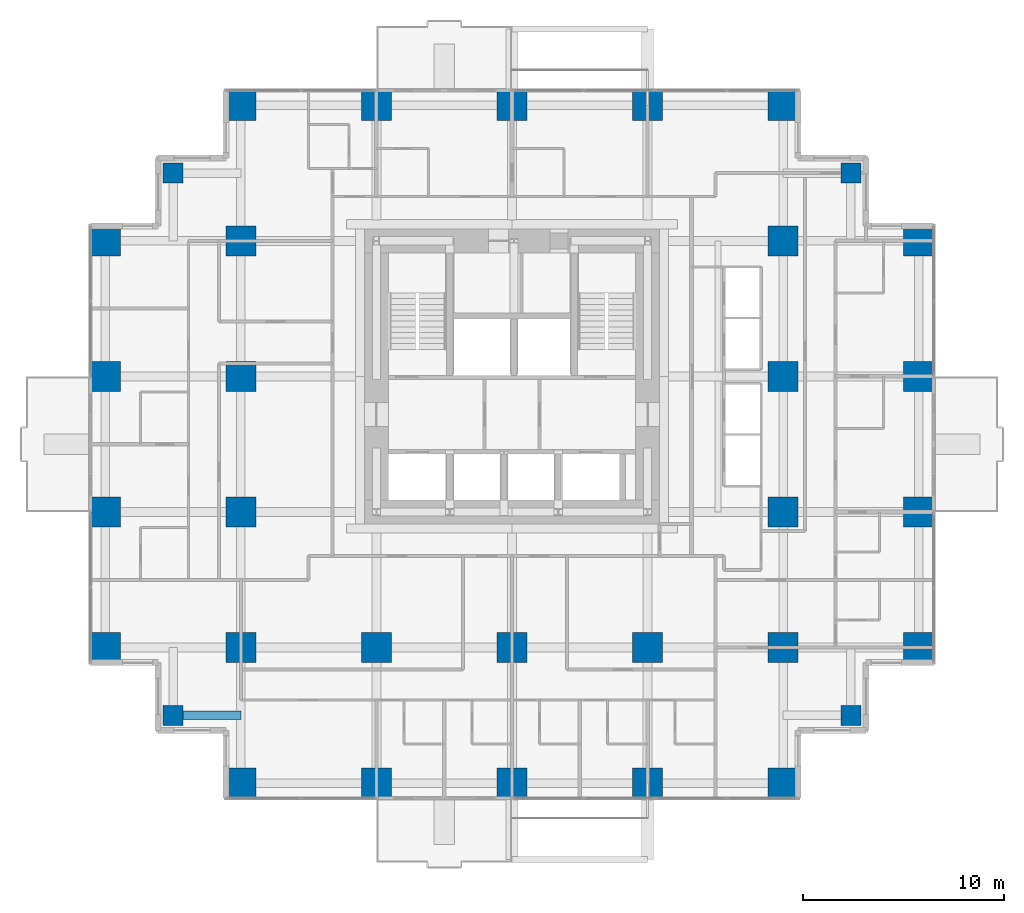
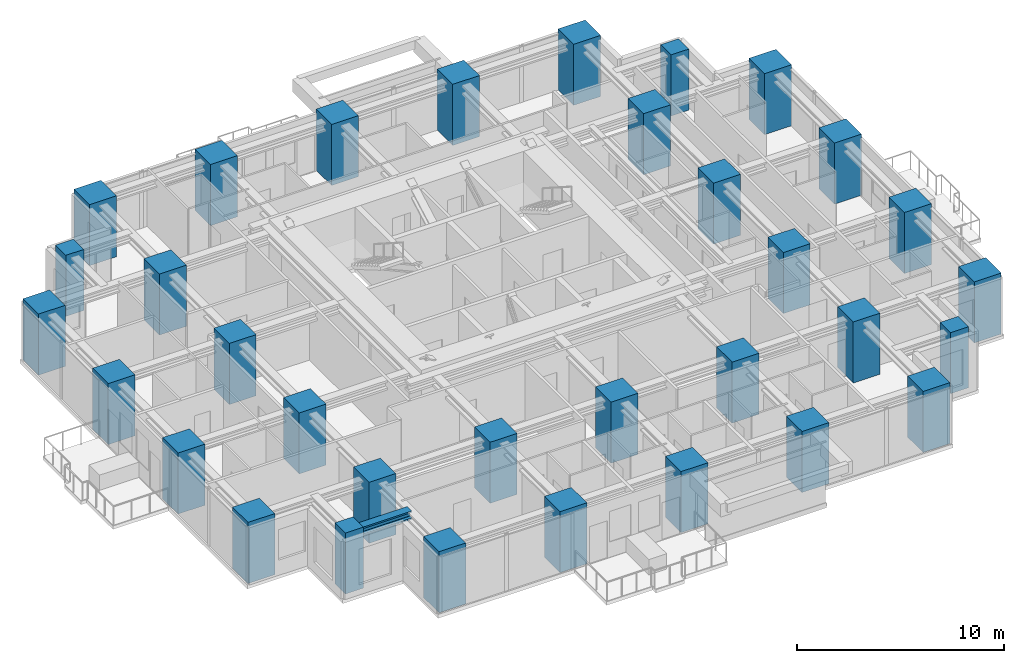
# One storey, part 1 of 13: 33 columns, 1 beam.
"""IFC4 building model written with IfcOpenShell, lengths in metres."""

from ifc_helpers import new_model, si_unit, direction, frame, origin, origin_2d, place, context, subcontext, project, spatial, rectangle, i_section, extrude, material, material_profile, profile_set, type_object, element, save


model = new_model("IFC4")

# Units and contexts
model_context = context("Model", 3, precision=1e-05, world=origin(), true_north=direction((0.0, 1.0)))
body_context = subcontext(model_context, "Body", "Model", "MODEL_VIEW")
ifc_project = project(units=[si_unit("LENGTHUNIT", "METRE"), si_unit("AREAUNIT", "SQUARE_METRE"), si_unit("VOLUMEUNIT", "CUBIC_METRE"), si_unit("PLANEANGLEUNIT", "RADIAN"), si_unit("MASSUNIT", "GRAM", prefix="KILO")], contexts=[model_context])

# Site, building, storey
site_placement = place(None, origin())
site = spatial("IfcSite", under=ifc_project, at=site_placement, CompositionType="ELEMENT")
building_placement = place(site_placement, origin())
building = spatial("IfcBuilding", under=site, at=building_placement, Name="Nyansa Garden Tower", CompositionType="ELEMENT")
storey_placement = place(building_placement, frame((0.0, 0.0, 123.300048828125)))
storey = spatial("IfcBuildingStorey", under=building, at=storey_placement, Name="L33", CompositionType="ELEMENT", Elevation=123.300048828125)

# Columns
ifc_material_1 = material(Name="Concrete C70/85", Category="concrete")
ifc_material_profile_1 = material_profile(ifc_material_1, rectangle(XDim=1.0, YDim=1.0, at=origin_2d()), Name="RC 1000x1000")
ifc_profile_set_1 = profile_set([ifc_material_profile_1], Name="Concrete C70/85")
column_type_1 = type_object("IfcColumnType", Name="Column C100 RC 1000x1000", PredefinedType="COLUMN", material=ifc_profile_set_1)
for number, where, z_axis, x_axis, name in (
    (1, (3.375, 3.375, 0.0), (0.0, 0.0, 1.0), (1.0, 0.0, 0.0), "Column x3.375/y3.375 L33"),
    (2, (3.375, 30.375, 0.0), (0.0, 0.0, 1.0), (1.0, 0.0, 0.0), "Column x3.375/y30.375 L33"),
    (3, (37.125, 3.375, 0.0), (0.0, 0.0, 1.0), (1.0, 0.0, 0.0), "Column x37.125/y3.375 L33"),
    (4, (37.125, 30.375, 0.0), (0.0, 0.0, 1.0), (1.0, 0.0, 0.0), "Column x37.125/y30.375 L33"),
):
    element("IfcColumn", number, at=place(storey_placement, frame(where, z_axis=z_axis, x_axis=x_axis)), inside=storey, type_object=column_type_1, Name=name, PredefinedType="COLUMN", context=body_context, shape_type="SweptSolid", body=[
        extrude(rectangle(XDim=1.0, YDim=1.0, at=origin_2d()), origin(), (0.0, 0.0, 1.0), 3.599853515625),
    ])
ifc_material_2 = material(Name="Concrete C80/95", Category="concrete")
ifc_material_profile_2 = material_profile(ifc_material_2, rectangle(XDim=1.5, YDim=1.5, at=origin_2d()), Name="RC 1500x1500")
ifc_profile_set_2 = profile_set([ifc_material_profile_2], Name="Concrete C80/95")
column_type_2 = type_object("IfcColumnType", Name="Column C150 RC 1500x1500", PredefinedType="COLUMN", material=ifc_profile_set_2)
for number, where, z_axis, x_axis, name in (
    (5, (0.0, 6.75, 0.0), (0.0, 0.0, 1.0), (1.0, 0.0, 0.0), "Column 2/E L33"),
    (6, (0.0, 13.5, 0.0), (0.0, 0.0, 1.0), (1.0, 0.0, 0.0), "Column 2/F L33"),
    (7, (0.0, 20.25, 0.0), (0.0, 0.0, 1.0), (1.0, 0.0, 0.0), "Column 2/G L33"),
    (8, (0.0, 27.0, 0.0), (0.0, 0.0, 1.0), (1.0, 0.0, 0.0), "Column 2/H L33"),
    (9, (6.75, 0.0, 0.0), (0.0, 0.0, 1.0), (1.0, 0.0, 0.0), "Column 3/D L33"),
    (10, (6.75, 6.75, 0.0), (0.0, 0.0, 1.0), (1.0, 0.0, 0.0), "Column 3/E L33"),
    (11, (6.75, 13.5, 0.0), (0.0, 0.0, 1.0), (1.0, 0.0, 0.0), "Column 3/F L33"),
    (12, (6.75, 20.25, 0.0), (0.0, 0.0, 1.0), (1.0, 0.0, 0.0), "Column 3/G L33"),
    (13, (6.75, 27.0, 0.0), (0.0, 0.0, 1.0), (1.0, 0.0, 0.0), "Column 3/H L33"),
    (14, (6.75, 33.75, 0.0), (0.0, 0.0, 1.0), (1.0, 0.0, 0.0), "Column 3/J L33"),
    (15, (13.5, 0.0, 0.0), (0.0, 0.0, 1.0), (1.0, 0.0, 0.0), "Column 4/D L33"),
    (16, (13.5, 6.75, 0.0), (0.0, 0.0, 1.0), (1.0, 0.0, 0.0), "Column 4/E L33"),
    (17, (13.5, 33.75, 0.0), (0.0, 0.0, 1.0), (1.0, 0.0, 0.0), "Column 4/J L33"),
    (18, (20.25, 0.0, 0.0), (0.0, 0.0, 1.0), (1.0, 0.0, 0.0), "Column 5/D L33"),
    (19, (20.25, 6.75, 0.0), (0.0, 0.0, 1.0), (1.0, 0.0, 0.0), "Column 5/E L33"),
    (20, (20.25, 33.75, 0.0), (0.0, 0.0, 1.0), (1.0, 0.0, 0.0), "Column 5/J L33"),
    (21, (27.0, 0.0, 0.0), (0.0, 0.0, 1.0), (1.0, 0.0, 0.0), "Column 6/D L33"),
    (22, (27.0, 6.75, 0.0), (0.0, 0.0, 1.0), (1.0, 0.0, 0.0), "Column 6/E L33"),
    (23, (27.0, 33.75, 0.0), (0.0, 0.0, 1.0), (1.0, 0.0, 0.0), "Column 6/J L33"),
    (24, (33.75, 0.0, 0.0), (0.0, 0.0, 1.0), (1.0, 0.0, 0.0), "Column 7/D L33"),
    (25, (33.75, 6.75, 0.0), (0.0, 0.0, 1.0), (1.0, 0.0, 0.0), "Column 7/E L33"),
    (26, (33.75, 13.5, 0.0), (0.0, 0.0, 1.0), (1.0, 0.0, 0.0), "Column 7/F L33"),
    (27, (33.75, 20.25, 0.0), (0.0, 0.0, 1.0), (1.0, 0.0, 0.0), "Column 7/G L33"),
    (28, (33.75, 27.0, 0.0), (0.0, 0.0, 1.0), (1.0, 0.0, 0.0), "Column 7/H L33"),
    (29, (33.75, 33.75, 0.0), (0.0, 0.0, 1.0), (1.0, 0.0, 0.0), "Column 7/J L33"),
    (30, (40.5, 6.75, 0.0), (0.0, 0.0, 1.0), (1.0, 0.0, 0.0), "Column 8/E L33"),
    (31, (40.5, 13.5, 0.0), (0.0, 0.0, 1.0), (1.0, 0.0, 0.0), "Column 8/F L33"),
    (32, (40.5, 20.25, 0.0), (0.0, 0.0, 1.0), (1.0, 0.0, 0.0), "Column 8/G L33"),
    (33, (40.5, 27.0, 0.0), (0.0, 0.0, 1.0), (1.0, 0.0, 0.0), "Column 8/H L33"),
):
    element("IfcColumn", number, at=place(storey_placement, frame(where, z_axis=z_axis, x_axis=x_axis)), inside=storey, type_object=column_type_2, Name=name, PredefinedType="COLUMN", context=body_context, shape_type="SweptSolid", body=[
        extrude(rectangle(XDim=1.5, YDim=1.5, at=origin_2d()), origin(), (0.0, 0.0, 1.0), 3.599853515625),
    ])

# Beam
ifc_material_3 = material(Name="Steel S355", Category="steel")
ifc_material_profile_3 = material_profile(ifc_material_3, i_section(OverallWidth=0.431884765625, OverallDepth=0.498046875, WebThickness=0.0556640625, FlangeThickness=0.0888671875, FilletRadius=0.014892578125, at=origin_2d()), Name="HD 400x744")
ifc_profile_set_3 = profile_set([ifc_material_profile_3], Name="Steel S355")
beam_type = type_object("IfcBeamType", Name="Steel beam SSB1-744 HD 400x744", PredefinedType="BEAM", material=ifc_profile_set_3)
beam_placement = place(storey_placement, frame((3.375, 3.375, 3.1259765625), z_axis=(1.0, 0.0, 0.0), x_axis=(0.0, 1.0, 0.0)))
element("IfcBeam", 34, at=beam_placement, inside=storey, type_object=beam_type, Name="Steel step beam 3.375/3.375 L34", PredefinedType="BEAM", context=body_context, shape_type="SweptSolid", body=[
    extrude(i_section(OverallWidth=0.431884765625, OverallDepth=0.498046875, WebThickness=0.0556640625, FlangeThickness=0.0888671875, FilletRadius=0.014892578125, at=origin_2d()), origin(), (0.0, 0.0, 1.0), 3.375),
])

save(model, "model.ifc")
